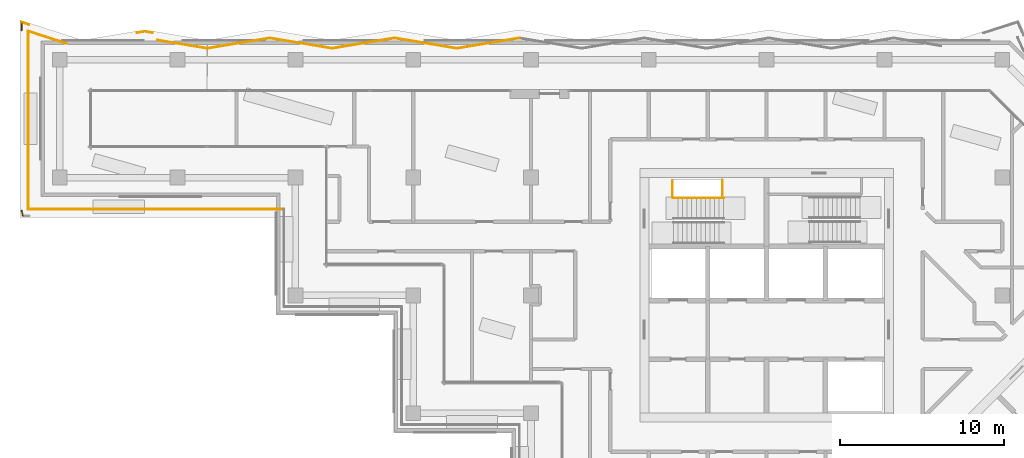
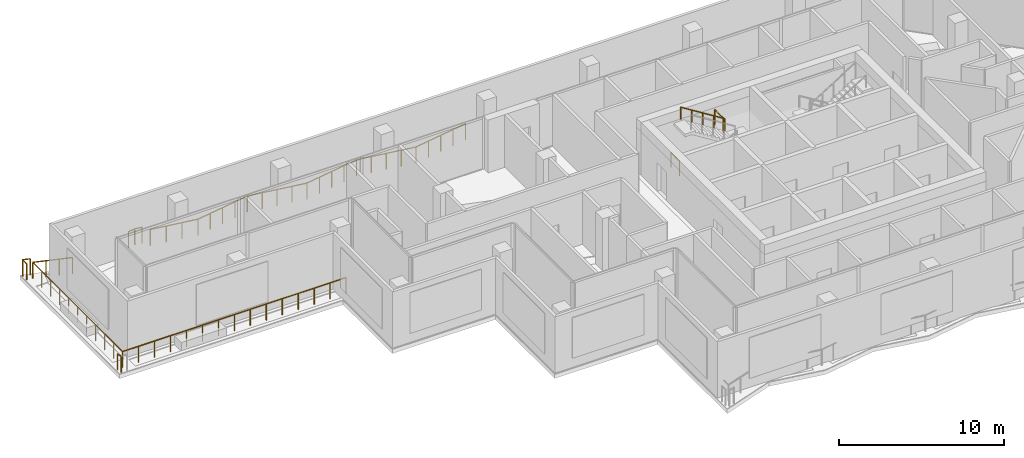
# One storey, part 16 of 19: 17 railings.
"""IFC4 building model written with IfcOpenShell, lengths in metres."""

from ifc_helpers import new_model, si_unit, direction, frame, origin, origin_2d, place, context, subcontext, project, spatial, circle, extrude, material, type_object, element, save


model = new_model("IFC4")

# Units and contexts
model_context = context("Model", 3, precision=1e-05, world=origin(), true_north=direction((0.0, 1.0)))
body_context = subcontext(model_context, "Body", "Model", "MODEL_VIEW")
ifc_project = project(units=[si_unit("LENGTHUNIT", "METRE"), si_unit("AREAUNIT", "SQUARE_METRE"), si_unit("VOLUMEUNIT", "CUBIC_METRE"), si_unit("PLANEANGLEUNIT", "RADIAN"), si_unit("MASSUNIT", "GRAM", prefix="KILO")], contexts=[model_context])

# Site, building, storey
site_placement = place(None, origin())
site = spatial("IfcSite", under=ifc_project, at=site_placement, CompositionType="ELEMENT")
building_placement = place(site_placement, origin())
building = spatial("IfcBuilding", under=site, at=building_placement, Name="Windrow Commons", CompositionType="ELEMENT")
storey_placement = place(building_placement, frame((0.0, 0.0, 176.2)))
storey = spatial("IfcBuildingStorey", under=building, at=storey_placement, Name="L48", CompositionType="ELEMENT", Elevation=176.2)

# Railings
ifc_material_1 = material(Name="Steel S355", Category="steel")
railing_type_1 = type_object("IfcRailingType", Name="Core stair guard 1100", PredefinedType="GUARDRAIL", material=ifc_material_1)
for number, where, name in (
    (1, (59.05, 63.6, 0.0), "L48 ST-A1 stair guard 3"),
    (2, (62.11, 63.6, 2.1), "L48 ST-A1 stair guard 4"),
):
    element("IfcRailing", number, at=place(storey_placement, frame(where)), inside=storey, type_object=railing_type_1, Name=name, PredefinedType="GUARDRAIL", context=body_context, shape_type="SweptSolid", body=[
        extrude(circle(Radius=0.024, at=origin_2d()), frame((0.0, 0.0, 1.076), z_axis=(0.0, 1.0, 0.0), x_axis=(-1.0, 0.0, 0.0)), (0.0, 0.0, 1.0), 1.03),
        extrude(circle(Radius=0.021, at=origin_2d()), origin(), (0.0, 0.0, 1.0), 1.052),
        extrude(circle(Radius=0.021, at=origin_2d()), frame((0.0, 1.03, 0.0)), (0.0, 0.0, 1.0), 1.052),
    ])
ifc_material_2 = material(Name="Steel S355", Category="steel")
railing_type_2 = type_object("IfcRailingType", Name="Core stair handrail 900", PredefinedType="HANDRAIL", material=ifc_material_2)
railing_1_placement = place(storey_placement, frame((62.18, 63.55, 2.275)))
element("IfcRailing", 3, at=railing_1_placement, inside=storey, type_object=railing_type_2, Name="L48 ST-A1 stair handrail 2", PredefinedType="HANDRAIL", context=body_context, shape_type="SweptSolid", body=[
    extrude(circle(Radius=0.024, at=origin_2d()), frame((0.0, 0.0, 0.876), z_axis=(-0.847998304, 0.0, 0.52999894), x_axis=(0.0, -1.0, 0.0)), (0.0, 0.0, 1.0), 3.6321),
    extrude(circle(Radius=0.021, at=origin_2d()), origin(), (0.0, 0.0, 1.0), 0.852),
    extrude(circle(Radius=0.021, at=origin_2d()), frame((-0.77, 0.0, 0.4813)), (0.0, 0.0, 1.0), 0.852),
    extrude(circle(Radius=0.021, at=origin_2d()), frame((-1.54, 0.0, 0.9625)), (0.0, 0.0, 1.0), 0.852),
    extrude(circle(Radius=0.021, at=origin_2d()), frame((-2.31, 0.0, 1.4438)), (0.0, 0.0, 1.0), 0.852),
    extrude(circle(Radius=0.021, at=origin_2d()), frame((-3.08, 0.0, 1.925)), (0.0, 0.0, 1.0), 0.852),
])
ifc_material_3 = material(Name="Stainless steel S316 balustrade with toughened glass infill", Category="steel")
railing_type_3 = type_object("IfcRailingType", Name="Terrace guard 1200 podium", PredefinedType="BALUSTRADE", material=ifc_material_3)
railing_2_placement = place(storey_placement, frame((35.3, 62.867, 0.05)))
element("IfcRailing", 4, at=railing_2_placement, inside=storey, type_object=railing_type_3, Name="Guard TR-L48-1.E12", PredefinedType="BALUSTRADE", context=body_context, shape_type="SweptSolid", body=[
    extrude(circle(Radius=0.025, at=origin_2d()), frame((0.0, 0.0, 1.175), z_axis=(-1.0, 0.0, 0.0), x_axis=(0.0, -1.0, 0.0)), (0.0, 0.0, 1.0), 15.633),
    extrude(circle(Radius=0.02, at=origin_2d()), origin(), (0.0, 0.0, 1.0), 1.15),
    extrude(circle(Radius=0.02, at=origin_2d()), frame((-1.1166, 0.0, 0.0)), (0.0, 0.0, 1.0), 1.15),
    extrude(circle(Radius=0.02, at=origin_2d()), frame((-2.2333, 0.0, 0.0)), (0.0, 0.0, 1.0), 1.15),
    extrude(circle(Radius=0.02, at=origin_2d()), frame((-3.3499, 0.0, 0.0)), (0.0, 0.0, 1.0), 1.15),
    extrude(circle(Radius=0.02, at=origin_2d()), frame((-4.4666, 0.0, 0.0)), (0.0, 0.0, 1.0), 1.15),
    extrude(circle(Radius=0.02, at=origin_2d()), frame((-5.5832, 0.0, 0.0)), (0.0, 0.0, 1.0), 1.15),
    extrude(circle(Radius=0.02, at=origin_2d()), frame((-6.6999, 0.0, 0.0)), (0.0, 0.0, 1.0), 1.15),
    extrude(circle(Radius=0.02, at=origin_2d()), frame((-7.8165, 0.0, 0.0)), (0.0, 0.0, 1.0), 1.15),
    extrude(circle(Radius=0.02, at=origin_2d()), frame((-8.9331, 0.0, 0.0)), (0.0, 0.0, 1.0), 1.15),
    extrude(circle(Radius=0.02, at=origin_2d()), frame((-10.0498, 0.0, 0.0)), (0.0, 0.0, 1.0), 1.15),
    extrude(circle(Radius=0.02, at=origin_2d()), frame((-11.1664, 0.0, 0.0)), (0.0, 0.0, 1.0), 1.15),
    extrude(circle(Radius=0.02, at=origin_2d()), frame((-12.2831, 0.0, 0.0)), (0.0, 0.0, 1.0), 1.15),
    extrude(circle(Radius=0.02, at=origin_2d()), frame((-13.3997, 0.0, 0.0)), (0.0, 0.0, 1.0), 1.15),
    extrude(circle(Radius=0.02, at=origin_2d()), frame((-14.5164, 0.0, 0.0)), (0.0, 0.0, 1.0), 1.15),
    extrude(circle(Radius=0.02, at=origin_2d()), frame((-15.633, 0.0, 0.0)), (0.0, 0.0, 1.0), 1.15),
])
railing_3_placement = place(storey_placement, frame((19.667, 62.867, 0.05)))
element("IfcRailing", 5, at=railing_3_placement, inside=storey, type_object=railing_type_3, Name="Guard TR-L48-1.E13", PredefinedType="BALUSTRADE", context=body_context, shape_type="SweptSolid", body=[
    extrude(circle(Radius=0.025, at=origin_2d()), frame((0.0, 0.0, 1.175), z_axis=(0.0, 1.0, 0.0), x_axis=(-1.0, 0.0, 0.0)), (0.0, 0.0, 1.0), 10.8789),
    extrude(circle(Radius=0.02, at=origin_2d()), origin(), (0.0, 0.0, 1.0), 1.15),
    extrude(circle(Radius=0.02, at=origin_2d()), frame((0.0, 1.0879, 0.0)), (0.0, 0.0, 1.0), 1.15),
    extrude(circle(Radius=0.02, at=origin_2d()), frame((0.0, 2.1758, 0.0)), (0.0, 0.0, 1.0), 1.15),
    extrude(circle(Radius=0.02, at=origin_2d()), frame((0.0, 3.2637, 0.0)), (0.0, 0.0, 1.0), 1.15),
    extrude(circle(Radius=0.02, at=origin_2d()), frame((0.0, 4.3516, 0.0)), (0.0, 0.0, 1.0), 1.15),
    extrude(circle(Radius=0.02, at=origin_2d()), frame((0.0, 5.4395, 0.0)), (0.0, 0.0, 1.0), 1.15),
    extrude(circle(Radius=0.02, at=origin_2d()), frame((0.0, 6.5273, 0.0)), (0.0, 0.0, 1.0), 1.15),
    extrude(circle(Radius=0.02, at=origin_2d()), frame((0.0, 7.6152, 0.0)), (0.0, 0.0, 1.0), 1.15),
    extrude(circle(Radius=0.02, at=origin_2d()), frame((0.0, 8.7031, 0.0)), (0.0, 0.0, 1.0), 1.15),
    extrude(circle(Radius=0.02, at=origin_2d()), frame((0.0, 9.791, 0.0)), (0.0, 0.0, 1.0), 1.15),
    extrude(circle(Radius=0.02, at=origin_2d()), frame((0.0, 10.8789, 0.0)), (0.0, 0.0, 1.0), 1.15),
])
railing_4_placement = place(storey_placement, frame((19.667, 73.7459, 0.05)))
element("IfcRailing", 6, at=railing_4_placement, inside=storey, type_object=railing_type_3, Name="Guard TR-L48-1.E14", PredefinedType="BALUSTRADE", context=body_context, shape_type="SweptSolid", body=[
    extrude(circle(Radius=0.025, at=origin_2d()), frame((0.0, 0.0, 1.175), z_axis=(0.9515331708, -0.3075461345, 0.0), x_axis=(0.3075461345, 0.9515331708, 0.0)), (0.0, 0.0, 1.0), 2.4572),
    extrude(circle(Radius=0.02, at=origin_2d()), origin(), (0.0, 0.0, 1.0), 1.15),
    extrude(circle(Radius=0.02, at=origin_2d()), frame((0.7794, -0.2519, 0.0)), (0.0, 0.0, 1.0), 1.15),
    extrude(circle(Radius=0.02, at=origin_2d()), frame((1.5587, -0.5038, 0.0)), (0.0, 0.0, 1.0), 1.15),
    extrude(circle(Radius=0.02, at=origin_2d()), frame((2.3381, -0.7557, 0.0)), (0.0, 0.0, 1.0), 1.15),
])
railing_5_placement = place(storey_placement, frame((27.5679, 73.1982, 0.05)))
element("IfcRailing", 7, at=railing_5_placement, inside=storey, type_object=railing_type_3, Name="Guard TR-L48-1.E15", PredefinedType="BALUSTRADE", context=body_context, shape_type="SweptSolid", body=[
    extrude(circle(Radius=0.025, at=origin_2d()), frame((0.0, 0.0, 1.175), z_axis=(0.9865119349, -0.1636893468, 0.0), x_axis=(0.1636893468, 0.9865119349, 0.0)), (0.0, 0.0, 1.0), 3.0851),
    extrude(circle(Radius=0.02, at=origin_2d()), origin(), (0.0, 0.0, 1.0), 1.15),
    extrude(circle(Radius=0.02, at=origin_2d()), frame((1.0145, -0.1683, 0.0)), (0.0, 0.0, 1.0), 1.15),
    extrude(circle(Radius=0.02, at=origin_2d()), frame((2.029, -0.3367, 0.0)), (0.0, 0.0, 1.0), 1.15),
    extrude(circle(Radius=0.02, at=origin_2d()), frame((3.0435, -0.505, 0.0)), (0.0, 0.0, 1.0), 1.15),
])
railing_6_placement = place(storey_placement, frame((30.6114, 72.6932, 0.05)))
element("IfcRailing", 8, at=railing_6_placement, inside=storey, type_object=railing_type_3, Name="Guard TR-L48-1.E16", PredefinedType="BALUSTRADE", context=body_context, shape_type="SweptSolid", body=[
    extrude(circle(Radius=0.025, at=origin_2d()), frame((0.0, 0.0, 1.175), z_axis=(0.9865103981, 0.1636986085, 0.0), x_axis=(-0.1636986085, 0.9865103981, 0.0)), (0.0, 0.0, 1.0), 3.8669),
    extrude(circle(Radius=0.02, at=origin_2d()), origin(), (0.0, 0.0, 1.0), 1.15),
    extrude(circle(Radius=0.02, at=origin_2d()), frame((0.9537, 0.1582, 0.0)), (0.0, 0.0, 1.0), 1.15),
    extrude(circle(Radius=0.02, at=origin_2d()), frame((1.9073, 0.3165, 0.0)), (0.0, 0.0, 1.0), 1.15),
    extrude(circle(Radius=0.02, at=origin_2d()), frame((2.861, 0.4747, 0.0)), (0.0, 0.0, 1.0), 1.15),
    extrude(circle(Radius=0.02, at=origin_2d()), frame((3.8147, 0.633, 0.0)), (0.0, 0.0, 1.0), 1.15),
])
railing_7_placement = place(storey_placement, frame((34.4261, 73.3262, 0.05)))
element("IfcRailing", 9, at=railing_7_placement, inside=storey, type_object=railing_type_3, Name="Guard TR-L48-1.E17", PredefinedType="BALUSTRADE", context=body_context, shape_type="SweptSolid", body=[
    extrude(circle(Radius=0.025, at=origin_2d()), frame((0.0, 0.0, 1.175), z_axis=(0.9865110911, -0.1636944324, 0.0), x_axis=(0.1636944324, 0.9865110911, 0.0)), (0.0, 0.0, 1.0), 3.867),
    extrude(circle(Radius=0.02, at=origin_2d()), origin(), (0.0, 0.0, 1.0), 1.15),
    extrude(circle(Radius=0.02, at=origin_2d()), frame((0.9537, -0.1582, 0.0)), (0.0, 0.0, 1.0), 1.15),
    extrude(circle(Radius=0.02, at=origin_2d()), frame((1.9074, -0.3165, 0.0)), (0.0, 0.0, 1.0), 1.15),
    extrude(circle(Radius=0.02, at=origin_2d()), frame((2.8611, -0.4747, 0.0)), (0.0, 0.0, 1.0), 1.15),
    extrude(circle(Radius=0.02, at=origin_2d()), frame((3.8148, -0.633, 0.0)), (0.0, 0.0, 1.0), 1.15),
])
railing_8_placement = place(storey_placement, frame((38.2409, 72.6932, 0.05)))
element("IfcRailing", 10, at=railing_8_placement, inside=storey, type_object=railing_type_3, Name="Guard TR-L48-1.E18", PredefinedType="BALUSTRADE", context=body_context, shape_type="SweptSolid", body=[
    extrude(circle(Radius=0.025, at=origin_2d()), frame((0.0, 0.0, 1.175), z_axis=(0.9865110911, 0.1636944324, 0.0), x_axis=(-0.1636944324, 0.9865110911, 0.0)), (0.0, 0.0, 1.0), 3.867),
    extrude(circle(Radius=0.02, at=origin_2d()), origin(), (0.0, 0.0, 1.0), 1.15),
    extrude(circle(Radius=0.02, at=origin_2d()), frame((0.9537, 0.1582, 0.0)), (0.0, 0.0, 1.0), 1.15),
    extrude(circle(Radius=0.02, at=origin_2d()), frame((1.9074, 0.3165, 0.0)), (0.0, 0.0, 1.0), 1.15),
    extrude(circle(Radius=0.02, at=origin_2d()), frame((2.8611, 0.4747, 0.0)), (0.0, 0.0, 1.0), 1.15),
    extrude(circle(Radius=0.02, at=origin_2d()), frame((3.8148, 0.633, 0.0)), (0.0, 0.0, 1.0), 1.15),
])
railing_9_placement = place(storey_placement, frame((42.0557, 73.3262, 0.05)))
element("IfcRailing", 11, at=railing_9_placement, inside=storey, type_object=railing_type_3, Name="Guard TR-L48-1.E19", PredefinedType="BALUSTRADE", context=body_context, shape_type="SweptSolid", body=[
    extrude(circle(Radius=0.025, at=origin_2d()), frame((0.0, 0.0, 1.175), z_axis=(0.9865110911, -0.1636944324, 0.0), x_axis=(0.1636944324, 0.9865110911, 0.0)), (0.0, 0.0, 1.0), 3.867),
    extrude(circle(Radius=0.02, at=origin_2d()), origin(), (0.0, 0.0, 1.0), 1.15),
    extrude(circle(Radius=0.02, at=origin_2d()), frame((0.9537, -0.1582, 0.0)), (0.0, 0.0, 1.0), 1.15),
    extrude(circle(Radius=0.02, at=origin_2d()), frame((1.9074, -0.3165, 0.0)), (0.0, 0.0, 1.0), 1.15),
    extrude(circle(Radius=0.02, at=origin_2d()), frame((2.8611, -0.4747, 0.0)), (0.0, 0.0, 1.0), 1.15),
    extrude(circle(Radius=0.02, at=origin_2d()), frame((3.8148, -0.633, 0.0)), (0.0, 0.0, 1.0), 1.15),
])
railing_10_placement = place(storey_placement, frame((45.8705, 72.6932, 0.05)))
element("IfcRailing", 12, at=railing_10_placement, inside=storey, type_object=railing_type_3, Name="Guard TR-L48-1.E20", PredefinedType="BALUSTRADE", context=body_context, shape_type="SweptSolid", body=[
    extrude(circle(Radius=0.025, at=origin_2d()), frame((0.0, 0.0, 1.175), z_axis=(0.9865110911, 0.1636944324, 0.0), x_axis=(-0.1636944324, 0.9865110911, 0.0)), (0.0, 0.0, 1.0), 3.867),
    extrude(circle(Radius=0.02, at=origin_2d()), origin(), (0.0, 0.0, 1.0), 1.15),
    extrude(circle(Radius=0.02, at=origin_2d()), frame((0.9537, 0.1582, 0.0)), (0.0, 0.0, 1.0), 1.15),
    extrude(circle(Radius=0.02, at=origin_2d()), frame((1.9074, 0.3165, 0.0)), (0.0, 0.0, 1.0), 1.15),
    extrude(circle(Radius=0.02, at=origin_2d()), frame((2.8611, 0.4747, 0.0)), (0.0, 0.0, 1.0), 1.15),
    extrude(circle(Radius=0.02, at=origin_2d()), frame((3.8148, 0.633, 0.0)), (0.0, 0.0, 1.0), 1.15),
])
railing_11_placement = place(storey_placement, frame((26.3084, 73.6506, 0.05)))
element("IfcRailing", 13, at=railing_11_placement, inside=storey, type_object=railing_type_3, Name="Guard TR-L48-1.C176", PredefinedType="BALUSTRADE", context=body_context, shape_type="SweptSolid", body=[
    extrude(circle(Radius=0.025, at=origin_2d()), frame((0.0, 0.0, 1.175), z_axis=(0.9864943505, 0.1637952884, 0.0), x_axis=(-0.1637952884, 0.9864943505, 0.0)), (0.0, 0.0, 1.0), 0.4835),
    extrude(circle(Radius=0.02, at=origin_2d()), origin(), (0.0, 0.0, 1.0), 1.15),
    extrude(circle(Radius=0.02, at=origin_2d()), frame((0.477, 0.0792, 0.0)), (0.0, 0.0, 1.0), 1.15),
])
railing_12_placement = place(storey_placement, frame((26.7854, 73.7298, 0.05)))
element("IfcRailing", 14, at=railing_12_placement, inside=storey, type_object=railing_type_3, Name="Guard TR-L48-1.C177", PredefinedType="BALUSTRADE", context=body_context, shape_type="SweptSolid", body=[
    extrude(circle(Radius=0.025, at=origin_2d()), frame((0.0, 0.0, 1.175), z_axis=(0.9877091925, -0.1563027542, 0.0), x_axis=(0.1563027542, 0.9877091925, 0.0)), (0.0, 0.0, 1.0), 0.483),
    extrude(circle(Radius=0.02, at=origin_2d()), origin(), (0.0, 0.0, 1.0), 1.15),
    extrude(circle(Radius=0.02, at=origin_2d()), frame((0.4771, -0.0755, 0.0)), (0.0, 0.0, 1.0), 1.15),
])
railing_13_placement = place(storey_placement, frame((19.267, 74.2956, 0.05)))
element("IfcRailing", 15, at=railing_13_placement, inside=storey, type_object=railing_type_3, Name="Guard TR-L48-1.C178", PredefinedType="BALUSTRADE", context=body_context, shape_type="SweptSolid", body=[
    extrude(circle(Radius=0.025, at=origin_2d()), frame((0.0, 0.0, 1.175), z_axis=(0.9515297669, -0.3075566659, 0.0), x_axis=(0.3075566659, 0.9515297669, 0.0)), (0.0, 0.0, 1.0), 0.4747),
    extrude(circle(Radius=0.02, at=origin_2d()), origin(), (0.0, 0.0, 1.0), 1.15),
    extrude(circle(Radius=0.02, at=origin_2d()), frame((0.4517, -0.146, 0.0)), (0.0, 0.0, 1.0), 1.15),
])
railing_14_placement = place(storey_placement, frame((19.267, 73.7947, 0.05)))
element("IfcRailing", 16, at=railing_14_placement, inside=storey, type_object=railing_type_3, Name="Guard TR-L48-1.C179", PredefinedType="BALUSTRADE", context=body_context, shape_type="SweptSolid", body=[
    extrude(circle(Radius=0.025, at=origin_2d()), frame((0.0, 0.0, 1.175), z_axis=(0.0, 1.0, 0.0), x_axis=(-1.0, 0.0, 0.0)), (0.0, 0.0, 1.0), 0.4378),
    extrude(circle(Radius=0.02, at=origin_2d()), origin(), (0.0, 0.0, 1.0), 1.15),
    extrude(circle(Radius=0.02, at=origin_2d()), frame((0.0, 0.4378, 0.0)), (0.0, 0.0, 1.0), 1.15),
])
railing_15_placement = place(storey_placement, frame((19.3435, 62.467, 0.05)))
element("IfcRailing", 17, at=railing_15_placement, inside=storey, type_object=railing_type_3, Name="Guard TR-L48-1.C181", PredefinedType="BALUSTRADE", context=body_context, shape_type="SweptSolid", body=[
    extrude(circle(Radius=0.025, at=origin_2d()), frame((0.0, 0.0, 1.175), z_axis=(-0.2299943914, 0.9731919543, 0.0), x_axis=(-0.9731919543, -0.2299943914, 0.0)), (0.0, 0.0, 1.0), 0.3326),
    extrude(circle(Radius=0.02, at=origin_2d()), origin(), (0.0, 0.0, 1.0), 1.15),
    extrude(circle(Radius=0.02, at=origin_2d()), frame((-0.0765, 0.3237, 0.0)), (0.0, 0.0, 1.0), 1.15),
])

save(model, "model.ifc")
